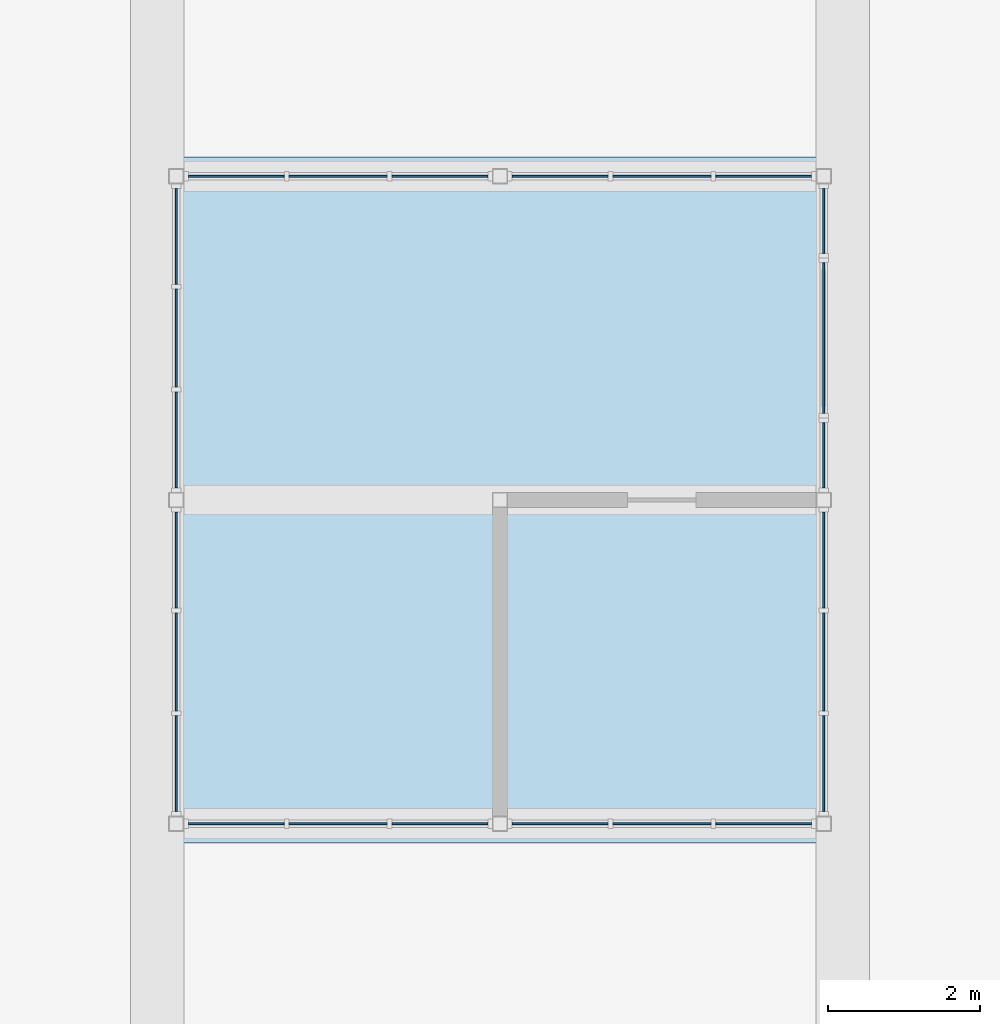
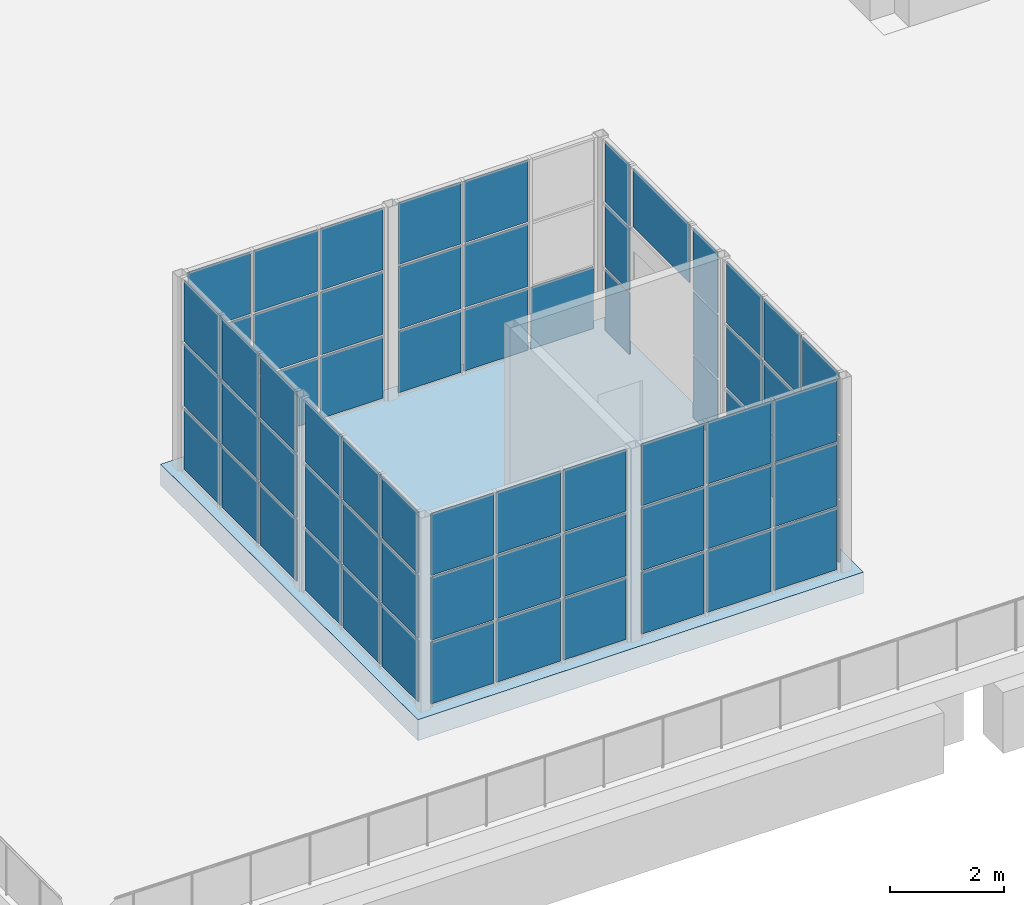
# One storey, part 74 of 168: 68 plates, 1 slab, 10 elements without a shape of their own.
"""IFC4 building model written with IfcOpenShell, lengths in metres."""

from ifc_helpers import new_model, si_unit, direction, frame, origin, origin_2d, place, context, subcontext, project, spatial, polyline, rectangle, outline, extrude, material, layer, layer_set, type_object, element, aggregate, save


model = new_model("IFC4")

# Units and contexts
model_context = context("Model", 3, precision=1e-05, world=origin(), true_north=direction((0.0, 1.0)))
body_context = subcontext(model_context, "Body", "Model", "MODEL_VIEW")
ifc_project = project(units=[si_unit("LENGTHUNIT", "METRE"), si_unit("AREAUNIT", "SQUARE_METRE"), si_unit("VOLUMEUNIT", "CUBIC_METRE"), si_unit("PLANEANGLEUNIT", "RADIAN"), si_unit("MASSUNIT", "GRAM", prefix="KILO")], contexts=[model_context])

# Site, building, storey
site_placement = place(None, origin())
site = spatial("IfcSite", under=ifc_project, at=site_placement, CompositionType="ELEMENT")
building_placement = place(site_placement, origin())
building = spatial("IfcBuilding", under=site, at=building_placement, Name="Silverbay Arena", CompositionType="ELEMENT")
storey_placement = place(building_placement, frame((0.0, 0.0, 7.0)))
storey = spatial("IfcBuildingStorey", under=building, at=storey_placement, Name="L01", CompositionType="ELEMENT", Elevation=7.0)

# Curtain wall, plates
ifc_material_1 = material(Name="Aluminium framed curtain wall", Category="aluminium")
curtain_wall_type_1 = type_object("IfcCurtainWallType", Name="Curtain wall 4050 x 4150", PredefinedType="NOTDEFINED", material=ifc_material_1)
curtain_wall_1_placement = place(storey_placement, origin())
curtain_wall_1 = element("IfcCurtainWall", 1, at=curtain_wall_1_placement, inside=storey, type_object=curtain_wall_type_1, Name="Pavilion south curtain wall 1", PredefinedType="NOTDEFINED")
ifc_material_2 = material(Name="Laminated glass", Category="glass")
ifc_layer_1 = layer(ifc_material_2, 0.02392578125)
ifc_layer_set_1 = layer_set([ifc_layer_1], Name="Laminated glass")
plate_type = type_object("IfcPlateType", Name="Glass panel 24", PredefinedType="CURTAIN_PANEL", material=ifc_layer_set_1)
plate_1_placement = place(storey_placement, frame((10.0400390625, 3.75, 0.0498046875), z_axis=(0.0, 0.0, 1.0), x_axis=(1.0, 0.0, 0.0)))
plate_1 = element("IfcPlate", 2, at=plate_1_placement, type_object=plate_type, Name="CW21 panel 1.1", PredefinedType="CURTAIN_PANEL", context=body_context, shape_type="SweptSolid", body=[
    extrude(rectangle(XDim=1.260009765625, YDim=0.02392578125, at=origin_2d()), origin(), (0.0, 0.0, 1.0), 1.308349609375),
])
plate_2_placement = place(storey_placement, frame((10.0400390625, 3.75, 1.408203125), z_axis=(0.0, 0.0, 1.0), x_axis=(1.0, 0.0, 0.0)))
plate_2 = element("IfcPlate", 3, at=plate_2_placement, type_object=plate_type, Name="CW21 panel 1.2", PredefinedType="CURTAIN_PANEL", context=body_context, shape_type="SweptSolid", body=[
    extrude(rectangle(XDim=1.260009765625, YDim=0.02392578125, at=origin_2d()), origin(), (0.0, 0.0, 1.0), 1.333251953125),
])
plate_3_placement = place(storey_placement, frame((10.0400390625, 3.75, 2.79150390625), z_axis=(0.0, 0.0, 1.0), x_axis=(1.0, 0.0, 0.0)))
plate_3 = element("IfcPlate", 4, at=plate_3_placement, type_object=plate_type, Name="CW21 panel 1.3", PredefinedType="CURTAIN_PANEL", context=body_context, shape_type="SweptSolid", body=[
    extrude(rectangle(XDim=1.260009765625, YDim=0.02392578125, at=origin_2d()), origin(), (0.0, 0.0, 1.0), 1.308349609375),
])
plate_4_placement = place(storey_placement, frame((11.375, 3.75, 0.0498046875), z_axis=(0.0, 0.0, 1.0), x_axis=(1.0, 0.0, 0.0)))
plate_4 = element("IfcPlate", 5, at=plate_4_placement, type_object=plate_type, Name="CW21 panel 2.1", PredefinedType="CURTAIN_PANEL", context=body_context, shape_type="SweptSolid", body=[
    extrude(rectangle(XDim=1.2900390625, YDim=0.02392578125, at=origin_2d()), origin(), (0.0, 0.0, 1.0), 1.308349609375),
])
plate_5_placement = place(storey_placement, frame((11.375, 3.75, 1.408203125), z_axis=(0.0, 0.0, 1.0), x_axis=(1.0, 0.0, 0.0)))
plate_5 = element("IfcPlate", 6, at=plate_5_placement, type_object=plate_type, Name="CW21 panel 2.2", PredefinedType="CURTAIN_PANEL", context=body_context, shape_type="SweptSolid", body=[
    extrude(rectangle(XDim=1.2900390625, YDim=0.02392578125, at=origin_2d()), origin(), (0.0, 0.0, 1.0), 1.333251953125),
])
plate_6_placement = place(storey_placement, frame((11.375, 3.75, 2.79150390625), z_axis=(0.0, 0.0, 1.0), x_axis=(1.0, 0.0, 0.0)))
plate_6 = element("IfcPlate", 7, at=plate_6_placement, type_object=plate_type, Name="CW21 panel 2.3", PredefinedType="CURTAIN_PANEL", context=body_context, shape_type="SweptSolid", body=[
    extrude(rectangle(XDim=1.2900390625, YDim=0.02392578125, at=origin_2d()), origin(), (0.0, 0.0, 1.0), 1.308349609375),
])
plate_7_placement = place(storey_placement, frame((12.7099609375, 3.75, 0.0498046875), z_axis=(0.0, 0.0, 1.0), x_axis=(1.0, 0.0, 0.0)))
plate_7 = element("IfcPlate", 8, at=plate_7_placement, type_object=plate_type, Name="CW21 panel 3.1", PredefinedType="CURTAIN_PANEL", context=body_context, shape_type="SweptSolid", body=[
    extrude(rectangle(XDim=1.260009765625, YDim=0.02392578125, at=origin_2d()), origin(), (0.0, 0.0, 1.0), 1.308349609375),
])
plate_8_placement = place(storey_placement, frame((12.7099609375, 3.75, 1.408203125), z_axis=(0.0, 0.0, 1.0), x_axis=(1.0, 0.0, 0.0)))
plate_8 = element("IfcPlate", 9, at=plate_8_placement, type_object=plate_type, Name="CW21 panel 3.2", PredefinedType="CURTAIN_PANEL", context=body_context, shape_type="SweptSolid", body=[
    extrude(rectangle(XDim=1.260009765625, YDim=0.02392578125, at=origin_2d()), origin(), (0.0, 0.0, 1.0), 1.333251953125),
])
plate_9_placement = place(storey_placement, frame((12.7099609375, 3.75, 2.79150390625), z_axis=(0.0, 0.0, 1.0), x_axis=(1.0, 0.0, 0.0)))
plate_9 = element("IfcPlate", 10, at=plate_9_placement, type_object=plate_type, Name="CW21 panel 3.3", PredefinedType="CURTAIN_PANEL", context=body_context, shape_type="SweptSolid", body=[
    extrude(rectangle(XDim=1.260009765625, YDim=0.02392578125, at=origin_2d()), origin(), (0.0, 0.0, 1.0), 1.308349609375),
])
aggregate(curtain_wall_1, [plate_1, plate_2, plate_3, plate_4, plate_5, plate_6, plate_7, plate_8, plate_9])

curtain_wall_2_placement = place(storey_placement, origin())
curtain_wall_2 = element("IfcCurtainWall", 11, at=curtain_wall_2_placement, inside=storey, type_object=curtain_wall_type_1, Name="Pavilion south curtain wall 2", PredefinedType="NOTDEFINED")
plate_10_placement = place(storey_placement, frame((14.2900390625, 3.75, 0.0498046875), z_axis=(0.0, 0.0, 1.0), x_axis=(1.0, 0.0, 0.0)))
plate_10 = element("IfcPlate", 12, at=plate_10_placement, type_object=plate_type, Name="CW21 panel 1.1", PredefinedType="CURTAIN_PANEL", context=body_context, shape_type="SweptSolid", body=[
    extrude(rectangle(XDim=1.260009765625, YDim=0.02392578125, at=origin_2d()), origin(), (0.0, 0.0, 1.0), 1.308349609375),
])
plate_11_placement = place(storey_placement, frame((14.2900390625, 3.75, 1.408203125), z_axis=(0.0, 0.0, 1.0), x_axis=(1.0, 0.0, 0.0)))
plate_11 = element("IfcPlate", 13, at=plate_11_placement, type_object=plate_type, Name="CW21 panel 1.2", PredefinedType="CURTAIN_PANEL", context=body_context, shape_type="SweptSolid", body=[
    extrude(rectangle(XDim=1.260009765625, YDim=0.02392578125, at=origin_2d()), origin(), (0.0, 0.0, 1.0), 1.333251953125),
])
plate_12_placement = place(storey_placement, frame((14.2900390625, 3.75, 2.79150390625), z_axis=(0.0, 0.0, 1.0), x_axis=(1.0, 0.0, 0.0)))
plate_12 = element("IfcPlate", 14, at=plate_12_placement, type_object=plate_type, Name="CW21 panel 1.3", PredefinedType="CURTAIN_PANEL", context=body_context, shape_type="SweptSolid", body=[
    extrude(rectangle(XDim=1.260009765625, YDim=0.02392578125, at=origin_2d()), origin(), (0.0, 0.0, 1.0), 1.308349609375),
])
plate_13_placement = place(storey_placement, frame((15.625, 3.75, 0.0498046875), z_axis=(0.0, 0.0, 1.0), x_axis=(1.0, 0.0, 0.0)))
plate_13 = element("IfcPlate", 15, at=plate_13_placement, type_object=plate_type, Name="CW21 panel 2.1", PredefinedType="CURTAIN_PANEL", context=body_context, shape_type="SweptSolid", body=[
    extrude(rectangle(XDim=1.2900390625, YDim=0.02392578125, at=origin_2d()), origin(), (0.0, 0.0, 1.0), 1.308349609375),
])
plate_14_placement = place(storey_placement, frame((15.625, 3.75, 1.408203125), z_axis=(0.0, 0.0, 1.0), x_axis=(1.0, 0.0, 0.0)))
plate_14 = element("IfcPlate", 16, at=plate_14_placement, type_object=plate_type, Name="CW21 panel 2.2", PredefinedType="CURTAIN_PANEL", context=body_context, shape_type="SweptSolid", body=[
    extrude(rectangle(XDim=1.2900390625, YDim=0.02392578125, at=origin_2d()), origin(), (0.0, 0.0, 1.0), 1.333251953125),
])
plate_15_placement = place(storey_placement, frame((15.625, 3.75, 2.79150390625), z_axis=(0.0, 0.0, 1.0), x_axis=(1.0, 0.0, 0.0)))
plate_15 = element("IfcPlate", 17, at=plate_15_placement, type_object=plate_type, Name="CW21 panel 2.3", PredefinedType="CURTAIN_PANEL", context=body_context, shape_type="SweptSolid", body=[
    extrude(rectangle(XDim=1.2900390625, YDim=0.02392578125, at=origin_2d()), origin(), (0.0, 0.0, 1.0), 1.308349609375),
])
plate_16_placement = place(storey_placement, frame((16.9599609375, 3.75, 0.0498046875), z_axis=(0.0, 0.0, 1.0), x_axis=(1.0, 0.0, 0.0)))
plate_16 = element("IfcPlate", 18, at=plate_16_placement, type_object=plate_type, Name="CW21 panel 3.1", PredefinedType="CURTAIN_PANEL", context=body_context, shape_type="SweptSolid", body=[
    extrude(rectangle(XDim=1.260009765625, YDim=0.02392578125, at=origin_2d()), origin(), (0.0, 0.0, 1.0), 1.308349609375),
])
plate_17_placement = place(storey_placement, frame((16.9599609375, 3.75, 1.408203125), z_axis=(0.0, 0.0, 1.0), x_axis=(1.0, 0.0, 0.0)))
plate_17 = element("IfcPlate", 19, at=plate_17_placement, type_object=plate_type, Name="CW21 panel 3.2", PredefinedType="CURTAIN_PANEL", context=body_context, shape_type="SweptSolid", body=[
    extrude(rectangle(XDim=1.260009765625, YDim=0.02392578125, at=origin_2d()), origin(), (0.0, 0.0, 1.0), 1.333251953125),
])
plate_18_placement = place(storey_placement, frame((16.9599609375, 3.75, 2.79150390625), z_axis=(0.0, 0.0, 1.0), x_axis=(1.0, 0.0, 0.0)))
plate_18 = element("IfcPlate", 20, at=plate_18_placement, type_object=plate_type, Name="CW21 panel 3.3", PredefinedType="CURTAIN_PANEL", context=body_context, shape_type="SweptSolid", body=[
    extrude(rectangle(XDim=1.260009765625, YDim=0.02392578125, at=origin_2d()), origin(), (0.0, 0.0, 1.0), 1.308349609375),
])
aggregate(curtain_wall_2, [plate_10, plate_11, plate_12, plate_13, plate_14, plate_15, plate_16, plate_17, plate_18])

curtain_wall_3_placement = place(storey_placement, origin())
curtain_wall_3 = element("IfcCurtainWall", 21, at=curtain_wall_3_placement, inside=storey, type_object=curtain_wall_type_1, Name="Pavilion north curtain wall 1", PredefinedType="NOTDEFINED")
plate_19_placement = place(storey_placement, frame((10.0400390625, 12.25, 0.0498046875), z_axis=(0.0, 0.0, 1.0), x_axis=(1.0, 0.0, 0.0)))
plate_19 = element("IfcPlate", 22, at=plate_19_placement, type_object=plate_type, Name="CW21 panel 1.1", PredefinedType="CURTAIN_PANEL", context=body_context, shape_type="SweptSolid", body=[
    extrude(rectangle(XDim=1.260009765625, YDim=0.02392578125, at=origin_2d()), origin(), (0.0, 0.0, 1.0), 1.308349609375),
])
plate_20_placement = place(storey_placement, frame((10.0400390625, 12.25, 1.408203125), z_axis=(0.0, 0.0, 1.0), x_axis=(1.0, 0.0, 0.0)))
plate_20 = element("IfcPlate", 23, at=plate_20_placement, type_object=plate_type, Name="CW21 panel 1.2", PredefinedType="CURTAIN_PANEL", context=body_context, shape_type="SweptSolid", body=[
    extrude(rectangle(XDim=1.260009765625, YDim=0.02392578125, at=origin_2d()), origin(), (0.0, 0.0, 1.0), 1.333251953125),
])
plate_21_placement = place(storey_placement, frame((10.0400390625, 12.25, 2.79150390625), z_axis=(0.0, 0.0, 1.0), x_axis=(1.0, 0.0, 0.0)))
plate_21 = element("IfcPlate", 24, at=plate_21_placement, type_object=plate_type, Name="CW21 panel 1.3", PredefinedType="CURTAIN_PANEL", context=body_context, shape_type="SweptSolid", body=[
    extrude(rectangle(XDim=1.260009765625, YDim=0.02392578125, at=origin_2d()), origin(), (0.0, 0.0, 1.0), 1.308349609375),
])
plate_22_placement = place(storey_placement, frame((11.375, 12.25, 0.0498046875), z_axis=(0.0, 0.0, 1.0), x_axis=(1.0, 0.0, 0.0)))
plate_22 = element("IfcPlate", 25, at=plate_22_placement, type_object=plate_type, Name="CW21 panel 2.1", PredefinedType="CURTAIN_PANEL", context=body_context, shape_type="SweptSolid", body=[
    extrude(rectangle(XDim=1.2900390625, YDim=0.02392578125, at=origin_2d()), origin(), (0.0, 0.0, 1.0), 1.308349609375),
])
plate_23_placement = place(storey_placement, frame((11.375, 12.25, 1.408203125), z_axis=(0.0, 0.0, 1.0), x_axis=(1.0, 0.0, 0.0)))
plate_23 = element("IfcPlate", 26, at=plate_23_placement, type_object=plate_type, Name="CW21 panel 2.2", PredefinedType="CURTAIN_PANEL", context=body_context, shape_type="SweptSolid", body=[
    extrude(rectangle(XDim=1.2900390625, YDim=0.02392578125, at=origin_2d()), origin(), (0.0, 0.0, 1.0), 1.333251953125),
])
plate_24_placement = place(storey_placement, frame((11.375, 12.25, 2.79150390625), z_axis=(0.0, 0.0, 1.0), x_axis=(1.0, 0.0, 0.0)))
plate_24 = element("IfcPlate", 27, at=plate_24_placement, type_object=plate_type, Name="CW21 panel 2.3", PredefinedType="CURTAIN_PANEL", context=body_context, shape_type="SweptSolid", body=[
    extrude(rectangle(XDim=1.2900390625, YDim=0.02392578125, at=origin_2d()), origin(), (0.0, 0.0, 1.0), 1.308349609375),
])
plate_25_placement = place(storey_placement, frame((12.7099609375, 12.25, 0.0498046875), z_axis=(0.0, 0.0, 1.0), x_axis=(1.0, 0.0, 0.0)))
plate_25 = element("IfcPlate", 28, at=plate_25_placement, type_object=plate_type, Name="CW21 panel 3.1", PredefinedType="CURTAIN_PANEL", context=body_context, shape_type="SweptSolid", body=[
    extrude(rectangle(XDim=1.260009765625, YDim=0.02392578125, at=origin_2d()), origin(), (0.0, 0.0, 1.0), 1.308349609375),
])
plate_26_placement = place(storey_placement, frame((12.7099609375, 12.25, 1.408203125), z_axis=(0.0, 0.0, 1.0), x_axis=(1.0, 0.0, 0.0)))
plate_26 = element("IfcPlate", 29, at=plate_26_placement, type_object=plate_type, Name="CW21 panel 3.2", PredefinedType="CURTAIN_PANEL", context=body_context, shape_type="SweptSolid", body=[
    extrude(rectangle(XDim=1.260009765625, YDim=0.02392578125, at=origin_2d()), origin(), (0.0, 0.0, 1.0), 1.333251953125),
])
plate_27_placement = place(storey_placement, frame((12.7099609375, 12.25, 2.79150390625), z_axis=(0.0, 0.0, 1.0), x_axis=(1.0, 0.0, 0.0)))
plate_27 = element("IfcPlate", 30, at=plate_27_placement, type_object=plate_type, Name="CW21 panel 3.3", PredefinedType="CURTAIN_PANEL", context=body_context, shape_type="SweptSolid", body=[
    extrude(rectangle(XDim=1.260009765625, YDim=0.02392578125, at=origin_2d()), origin(), (0.0, 0.0, 1.0), 1.308349609375),
])
aggregate(curtain_wall_3, [plate_19, plate_20, plate_21, plate_22, plate_23, plate_24, plate_25, plate_26, plate_27])

curtain_wall_4_placement = place(storey_placement, origin())
curtain_wall_4 = element("IfcCurtainWall", 31, at=curtain_wall_4_placement, inside=storey, type_object=curtain_wall_type_1, Name="Pavilion north curtain wall 2", PredefinedType="NOTDEFINED")
plate_28_placement = place(storey_placement, frame((14.2900390625, 12.25, 0.0498046875), z_axis=(0.0, 0.0, 1.0), x_axis=(1.0, 0.0, 0.0)))
plate_28 = element("IfcPlate", 32, at=plate_28_placement, type_object=plate_type, Name="CW21 panel 1.1", PredefinedType="CURTAIN_PANEL", context=body_context, shape_type="SweptSolid", body=[
    extrude(rectangle(XDim=1.260009765625, YDim=0.02392578125, at=origin_2d()), origin(), (0.0, 0.0, 1.0), 1.308349609375),
])
plate_29_placement = place(storey_placement, frame((14.2900390625, 12.25, 1.408203125), z_axis=(0.0, 0.0, 1.0), x_axis=(1.0, 0.0, 0.0)))
plate_29 = element("IfcPlate", 33, at=plate_29_placement, type_object=plate_type, Name="CW21 panel 1.2", PredefinedType="CURTAIN_PANEL", context=body_context, shape_type="SweptSolid", body=[
    extrude(rectangle(XDim=1.260009765625, YDim=0.02392578125, at=origin_2d()), origin(), (0.0, 0.0, 1.0), 1.333251953125),
])
plate_30_placement = place(storey_placement, frame((14.2900390625, 12.25, 2.79150390625), z_axis=(0.0, 0.0, 1.0), x_axis=(1.0, 0.0, 0.0)))
plate_30 = element("IfcPlate", 34, at=plate_30_placement, type_object=plate_type, Name="CW21 panel 1.3", PredefinedType="CURTAIN_PANEL", context=body_context, shape_type="SweptSolid", body=[
    extrude(rectangle(XDim=1.260009765625, YDim=0.02392578125, at=origin_2d()), origin(), (0.0, 0.0, 1.0), 1.308349609375),
])
plate_31_placement = place(storey_placement, frame((15.625, 12.25, 0.0498046875), z_axis=(0.0, 0.0, 1.0), x_axis=(1.0, 0.0, 0.0)))
plate_31 = element("IfcPlate", 35, at=plate_31_placement, type_object=plate_type, Name="CW21 panel 2.1", PredefinedType="CURTAIN_PANEL", context=body_context, shape_type="SweptSolid", body=[
    extrude(rectangle(XDim=1.2900390625, YDim=0.02392578125, at=origin_2d()), origin(), (0.0, 0.0, 1.0), 1.308349609375),
])
plate_32_placement = place(storey_placement, frame((15.625, 12.25, 1.408203125), z_axis=(0.0, 0.0, 1.0), x_axis=(1.0, 0.0, 0.0)))
plate_32 = element("IfcPlate", 36, at=plate_32_placement, type_object=plate_type, Name="CW21 panel 2.2", PredefinedType="CURTAIN_PANEL", context=body_context, shape_type="SweptSolid", body=[
    extrude(rectangle(XDim=1.2900390625, YDim=0.02392578125, at=origin_2d()), origin(), (0.0, 0.0, 1.0), 1.333251953125),
])
plate_33_placement = place(storey_placement, frame((15.625, 12.25, 2.79150390625), z_axis=(0.0, 0.0, 1.0), x_axis=(1.0, 0.0, 0.0)))
plate_33 = element("IfcPlate", 37, at=plate_33_placement, type_object=plate_type, Name="CW21 panel 2.3", PredefinedType="CURTAIN_PANEL", context=body_context, shape_type="SweptSolid", body=[
    extrude(rectangle(XDim=1.2900390625, YDim=0.02392578125, at=origin_2d()), origin(), (0.0, 0.0, 1.0), 1.308349609375),
])
plate_34_placement = place(storey_placement, frame((16.9599609375, 12.25, 0.0498046875), z_axis=(0.0, 0.0, 1.0), x_axis=(1.0, 0.0, 0.0)))
plate_34 = element("IfcPlate", 38, at=plate_34_placement, type_object=plate_type, Name="CW21 panel 3.1", PredefinedType="CURTAIN_PANEL", context=body_context, shape_type="SweptSolid", body=[
    extrude(rectangle(XDim=1.260009765625, YDim=0.02392578125, at=origin_2d()), origin(), (0.0, 0.0, 1.0), 1.308349609375),
])
aggregate(curtain_wall_4, [plate_28, plate_29, plate_30, plate_31, plate_32, plate_33, plate_34])

curtain_wall_5_placement = place(storey_placement, origin())
curtain_wall_5 = element("IfcCurtainWall", 39, at=curtain_wall_5_placement, inside=storey, type_object=curtain_wall_type_1, Name="Pavilion west curtain wall 1", PredefinedType="NOTDEFINED")
plate_35_placement = place(storey_placement, frame((9.25, 4.5400390625, 0.0498046875), z_axis=(0.0, 0.0, 1.0), x_axis=(0.0, 1.0, 0.0)))
plate_35 = element("IfcPlate", 40, at=plate_35_placement, type_object=plate_type, Name="CW21 panel 1.1", PredefinedType="CURTAIN_PANEL", context=body_context, shape_type="SweptSolid", body=[
    extrude(rectangle(XDim=1.260009765625, YDim=0.02392578125, at=origin_2d()), origin(), (0.0, 0.0, 1.0), 1.308349609375),
])
plate_36_placement = place(storey_placement, frame((9.25, 4.5400390625, 1.408203125), z_axis=(0.0, 0.0, 1.0), x_axis=(0.0, 1.0, 0.0)))
plate_36 = element("IfcPlate", 41, at=plate_36_placement, type_object=plate_type, Name="CW21 panel 1.2", PredefinedType="CURTAIN_PANEL", context=body_context, shape_type="SweptSolid", body=[
    extrude(rectangle(XDim=1.260009765625, YDim=0.02392578125, at=origin_2d()), origin(), (0.0, 0.0, 1.0), 1.333251953125),
])
plate_37_placement = place(storey_placement, frame((9.25, 4.5400390625, 2.79150390625), z_axis=(0.0, 0.0, 1.0), x_axis=(0.0, 1.0, 0.0)))
plate_37 = element("IfcPlate", 42, at=plate_37_placement, type_object=plate_type, Name="CW21 panel 1.3", PredefinedType="CURTAIN_PANEL", context=body_context, shape_type="SweptSolid", body=[
    extrude(rectangle(XDim=1.260009765625, YDim=0.02392578125, at=origin_2d()), origin(), (0.0, 0.0, 1.0), 1.308349609375),
])
plate_38_placement = place(storey_placement, frame((9.25, 5.875, 0.0498046875), z_axis=(0.0, 0.0, 1.0), x_axis=(0.0, 1.0, 0.0)))
plate_38 = element("IfcPlate", 43, at=plate_38_placement, type_object=plate_type, Name="CW21 panel 2.1", PredefinedType="CURTAIN_PANEL", context=body_context, shape_type="SweptSolid", body=[
    extrude(rectangle(XDim=1.2900390625, YDim=0.02392578125, at=origin_2d()), origin(), (0.0, 0.0, 1.0), 1.308349609375),
])
plate_39_placement = place(storey_placement, frame((9.25, 5.875, 1.408203125), z_axis=(0.0, 0.0, 1.0), x_axis=(0.0, 1.0, 0.0)))
plate_39 = element("IfcPlate", 44, at=plate_39_placement, type_object=plate_type, Name="CW21 panel 2.2", PredefinedType="CURTAIN_PANEL", context=body_context, shape_type="SweptSolid", body=[
    extrude(rectangle(XDim=1.2900390625, YDim=0.02392578125, at=origin_2d()), origin(), (0.0, 0.0, 1.0), 1.333251953125),
])
plate_40_placement = place(storey_placement, frame((9.25, 5.875, 2.79150390625), z_axis=(0.0, 0.0, 1.0), x_axis=(0.0, 1.0, 0.0)))
plate_40 = element("IfcPlate", 45, at=plate_40_placement, type_object=plate_type, Name="CW21 panel 2.3", PredefinedType="CURTAIN_PANEL", context=body_context, shape_type="SweptSolid", body=[
    extrude(rectangle(XDim=1.2900390625, YDim=0.02392578125, at=origin_2d()), origin(), (0.0, 0.0, 1.0), 1.308349609375),
])
plate_41_placement = place(storey_placement, frame((9.25, 7.2099609375, 0.0498046875), z_axis=(0.0, 0.0, 1.0), x_axis=(0.0, 1.0, 0.0)))
plate_41 = element("IfcPlate", 46, at=plate_41_placement, type_object=plate_type, Name="CW21 panel 3.1", PredefinedType="CURTAIN_PANEL", context=body_context, shape_type="SweptSolid", body=[
    extrude(rectangle(XDim=1.260009765625, YDim=0.02392578125, at=origin_2d()), origin(), (0.0, 0.0, 1.0), 1.308349609375),
])
plate_42_placement = place(storey_placement, frame((9.25, 7.2099609375, 1.408203125), z_axis=(0.0, 0.0, 1.0), x_axis=(0.0, 1.0, 0.0)))
plate_42 = element("IfcPlate", 47, at=plate_42_placement, type_object=plate_type, Name="CW21 panel 3.2", PredefinedType="CURTAIN_PANEL", context=body_context, shape_type="SweptSolid", body=[
    extrude(rectangle(XDim=1.260009765625, YDim=0.02392578125, at=origin_2d()), origin(), (0.0, 0.0, 1.0), 1.333251953125),
])
plate_43_placement = place(storey_placement, frame((9.25, 7.2099609375, 2.79150390625), z_axis=(0.0, 0.0, 1.0), x_axis=(0.0, 1.0, 0.0)))
plate_43 = element("IfcPlate", 48, at=plate_43_placement, type_object=plate_type, Name="CW21 panel 3.3", PredefinedType="CURTAIN_PANEL", context=body_context, shape_type="SweptSolid", body=[
    extrude(rectangle(XDim=1.260009765625, YDim=0.02392578125, at=origin_2d()), origin(), (0.0, 0.0, 1.0), 1.308349609375),
])
aggregate(curtain_wall_5, [plate_35, plate_36, plate_37, plate_38, plate_39, plate_40, plate_41, plate_42, plate_43])

curtain_wall_6_placement = place(storey_placement, origin())
curtain_wall_6 = element("IfcCurtainWall", 49, at=curtain_wall_6_placement, inside=storey, type_object=curtain_wall_type_1, Name="Pavilion west curtain wall 2", PredefinedType="NOTDEFINED")
plate_44_placement = place(storey_placement, frame((9.25, 8.7900390625, 0.0498046875), z_axis=(0.0, 0.0, 1.0), x_axis=(0.0, 1.0, 0.0)))
plate_44 = element("IfcPlate", 50, at=plate_44_placement, type_object=plate_type, Name="CW21 panel 1.1", PredefinedType="CURTAIN_PANEL", context=body_context, shape_type="SweptSolid", body=[
    extrude(rectangle(XDim=1.260009765625, YDim=0.02392578125, at=origin_2d()), origin(), (0.0, 0.0, 1.0), 1.308349609375),
])
plate_45_placement = place(storey_placement, frame((9.25, 8.7900390625, 1.408203125), z_axis=(0.0, 0.0, 1.0), x_axis=(0.0, 1.0, 0.0)))
plate_45 = element("IfcPlate", 51, at=plate_45_placement, type_object=plate_type, Name="CW21 panel 1.2", PredefinedType="CURTAIN_PANEL", context=body_context, shape_type="SweptSolid", body=[
    extrude(rectangle(XDim=1.260009765625, YDim=0.02392578125, at=origin_2d()), origin(), (0.0, 0.0, 1.0), 1.333251953125),
])
plate_46_placement = place(storey_placement, frame((9.25, 8.7900390625, 2.79150390625), z_axis=(0.0, 0.0, 1.0), x_axis=(0.0, 1.0, 0.0)))
plate_46 = element("IfcPlate", 52, at=plate_46_placement, type_object=plate_type, Name="CW21 panel 1.3", PredefinedType="CURTAIN_PANEL", context=body_context, shape_type="SweptSolid", body=[
    extrude(rectangle(XDim=1.260009765625, YDim=0.02392578125, at=origin_2d()), origin(), (0.0, 0.0, 1.0), 1.308349609375),
])
plate_47_placement = place(storey_placement, frame((9.25, 10.125, 0.0498046875), z_axis=(0.0, 0.0, 1.0), x_axis=(0.0, 1.0, 0.0)))
plate_47 = element("IfcPlate", 53, at=plate_47_placement, type_object=plate_type, Name="CW21 panel 2.1", PredefinedType="CURTAIN_PANEL", context=body_context, shape_type="SweptSolid", body=[
    extrude(rectangle(XDim=1.2900390625, YDim=0.02392578125, at=origin_2d()), origin(), (0.0, 0.0, 1.0), 1.308349609375),
])
plate_48_placement = place(storey_placement, frame((9.25, 10.125, 1.408203125), z_axis=(0.0, 0.0, 1.0), x_axis=(0.0, 1.0, 0.0)))
plate_48 = element("IfcPlate", 54, at=plate_48_placement, type_object=plate_type, Name="CW21 panel 2.2", PredefinedType="CURTAIN_PANEL", context=body_context, shape_type="SweptSolid", body=[
    extrude(rectangle(XDim=1.2900390625, YDim=0.02392578125, at=origin_2d()), origin(), (0.0, 0.0, 1.0), 1.333251953125),
])
plate_49_placement = place(storey_placement, frame((9.25, 10.125, 2.79150390625), z_axis=(0.0, 0.0, 1.0), x_axis=(0.0, 1.0, 0.0)))
plate_49 = element("IfcPlate", 55, at=plate_49_placement, type_object=plate_type, Name="CW21 panel 2.3", PredefinedType="CURTAIN_PANEL", context=body_context, shape_type="SweptSolid", body=[
    extrude(rectangle(XDim=1.2900390625, YDim=0.02392578125, at=origin_2d()), origin(), (0.0, 0.0, 1.0), 1.308349609375),
])
plate_50_placement = place(storey_placement, frame((9.25, 11.4599609375, 0.0498046875), z_axis=(0.0, 0.0, 1.0), x_axis=(0.0, 1.0, 0.0)))
plate_50 = element("IfcPlate", 56, at=plate_50_placement, type_object=plate_type, Name="CW21 panel 3.1", PredefinedType="CURTAIN_PANEL", context=body_context, shape_type="SweptSolid", body=[
    extrude(rectangle(XDim=1.260009765625, YDim=0.02392578125, at=origin_2d()), origin(), (0.0, 0.0, 1.0), 1.308349609375),
])
plate_51_placement = place(storey_placement, frame((9.25, 11.4599609375, 1.408203125), z_axis=(0.0, 0.0, 1.0), x_axis=(0.0, 1.0, 0.0)))
plate_51 = element("IfcPlate", 57, at=plate_51_placement, type_object=plate_type, Name="CW21 panel 3.2", PredefinedType="CURTAIN_PANEL", context=body_context, shape_type="SweptSolid", body=[
    extrude(rectangle(XDim=1.260009765625, YDim=0.02392578125, at=origin_2d()), origin(), (0.0, 0.0, 1.0), 1.333251953125),
])
plate_52_placement = place(storey_placement, frame((9.25, 11.4599609375, 2.79150390625), z_axis=(0.0, 0.0, 1.0), x_axis=(0.0, 1.0, 0.0)))
plate_52 = element("IfcPlate", 58, at=plate_52_placement, type_object=plate_type, Name="CW21 panel 3.3", PredefinedType="CURTAIN_PANEL", context=body_context, shape_type="SweptSolid", body=[
    extrude(rectangle(XDim=1.260009765625, YDim=0.02392578125, at=origin_2d()), origin(), (0.0, 0.0, 1.0), 1.308349609375),
])
aggregate(curtain_wall_6, [plate_44, plate_45, plate_46, plate_47, plate_48, plate_49, plate_50, plate_51, plate_52])

curtain_wall_7_placement = place(storey_placement, origin())
curtain_wall_7 = element("IfcCurtainWall", 59, at=curtain_wall_7_placement, inside=storey, type_object=curtain_wall_type_1, Name="Pavilion east curtain wall 1", PredefinedType="NOTDEFINED")
plate_53_placement = place(storey_placement, frame((17.75, 4.5400390625, 0.0498046875), z_axis=(0.0, 0.0, 1.0), x_axis=(0.0, 1.0, 0.0)))
plate_53 = element("IfcPlate", 60, at=plate_53_placement, type_object=plate_type, Name="CW21 panel 1.1", PredefinedType="CURTAIN_PANEL", context=body_context, shape_type="SweptSolid", body=[
    extrude(rectangle(XDim=1.260009765625, YDim=0.02392578125, at=origin_2d()), origin(), (0.0, 0.0, 1.0), 1.308349609375),
])
plate_54_placement = place(storey_placement, frame((17.75, 4.5400390625, 1.408203125), z_axis=(0.0, 0.0, 1.0), x_axis=(0.0, 1.0, 0.0)))
plate_54 = element("IfcPlate", 61, at=plate_54_placement, type_object=plate_type, Name="CW21 panel 1.2", PredefinedType="CURTAIN_PANEL", context=body_context, shape_type="SweptSolid", body=[
    extrude(rectangle(XDim=1.260009765625, YDim=0.02392578125, at=origin_2d()), origin(), (0.0, 0.0, 1.0), 1.333251953125),
])
plate_55_placement = place(storey_placement, frame((17.75, 4.5400390625, 2.79150390625), z_axis=(0.0, 0.0, 1.0), x_axis=(0.0, 1.0, 0.0)))
plate_55 = element("IfcPlate", 62, at=plate_55_placement, type_object=plate_type, Name="CW21 panel 1.3", PredefinedType="CURTAIN_PANEL", context=body_context, shape_type="SweptSolid", body=[
    extrude(rectangle(XDim=1.260009765625, YDim=0.02392578125, at=origin_2d()), origin(), (0.0, 0.0, 1.0), 1.308349609375),
])
plate_56_placement = place(storey_placement, frame((17.75, 5.875, 0.0498046875), z_axis=(0.0, 0.0, 1.0), x_axis=(0.0, 1.0, 0.0)))
plate_56 = element("IfcPlate", 63, at=plate_56_placement, type_object=plate_type, Name="CW21 panel 2.1", PredefinedType="CURTAIN_PANEL", context=body_context, shape_type="SweptSolid", body=[
    extrude(rectangle(XDim=1.2900390625, YDim=0.02392578125, at=origin_2d()), origin(), (0.0, 0.0, 1.0), 1.308349609375),
])
plate_57_placement = place(storey_placement, frame((17.75, 5.875, 1.408203125), z_axis=(0.0, 0.0, 1.0), x_axis=(0.0, 1.0, 0.0)))
plate_57 = element("IfcPlate", 64, at=plate_57_placement, type_object=plate_type, Name="CW21 panel 2.2", PredefinedType="CURTAIN_PANEL", context=body_context, shape_type="SweptSolid", body=[
    extrude(rectangle(XDim=1.2900390625, YDim=0.02392578125, at=origin_2d()), origin(), (0.0, 0.0, 1.0), 1.333251953125),
])
plate_58_placement = place(storey_placement, frame((17.75, 5.875, 2.79150390625), z_axis=(0.0, 0.0, 1.0), x_axis=(0.0, 1.0, 0.0)))
plate_58 = element("IfcPlate", 65, at=plate_58_placement, type_object=plate_type, Name="CW21 panel 2.3", PredefinedType="CURTAIN_PANEL", context=body_context, shape_type="SweptSolid", body=[
    extrude(rectangle(XDim=1.2900390625, YDim=0.02392578125, at=origin_2d()), origin(), (0.0, 0.0, 1.0), 1.308349609375),
])
plate_59_placement = place(storey_placement, frame((17.75, 7.2099609375, 0.0498046875), z_axis=(0.0, 0.0, 1.0), x_axis=(0.0, 1.0, 0.0)))
plate_59 = element("IfcPlate", 66, at=plate_59_placement, type_object=plate_type, Name="CW21 panel 3.1", PredefinedType="CURTAIN_PANEL", context=body_context, shape_type="SweptSolid", body=[
    extrude(rectangle(XDim=1.260009765625, YDim=0.02392578125, at=origin_2d()), origin(), (0.0, 0.0, 1.0), 1.308349609375),
])
plate_60_placement = place(storey_placement, frame((17.75, 7.2099609375, 1.408203125), z_axis=(0.0, 0.0, 1.0), x_axis=(0.0, 1.0, 0.0)))
plate_60 = element("IfcPlate", 67, at=plate_60_placement, type_object=plate_type, Name="CW21 panel 3.2", PredefinedType="CURTAIN_PANEL", context=body_context, shape_type="SweptSolid", body=[
    extrude(rectangle(XDim=1.260009765625, YDim=0.02392578125, at=origin_2d()), origin(), (0.0, 0.0, 1.0), 1.333251953125),
])
plate_61_placement = place(storey_placement, frame((17.75, 7.2099609375, 2.79150390625), z_axis=(0.0, 0.0, 1.0), x_axis=(0.0, 1.0, 0.0)))
plate_61 = element("IfcPlate", 68, at=plate_61_placement, type_object=plate_type, Name="CW21 panel 3.3", PredefinedType="CURTAIN_PANEL", context=body_context, shape_type="SweptSolid", body=[
    extrude(rectangle(XDim=1.260009765625, YDim=0.02392578125, at=origin_2d()), origin(), (0.0, 0.0, 1.0), 1.308349609375),
])
aggregate(curtain_wall_7, [plate_53, plate_54, plate_55, plate_56, plate_57, plate_58, plate_59, plate_60, plate_61])

ifc_material_3 = material(Name="Aluminium framed curtain wall", Category="aluminium")
curtain_wall_type_2 = type_object("IfcCurtainWallType", Name="Curtain wall 975 x 4150", PredefinedType="NOTDEFINED", material=ifc_material_3)
curtain_wall_8_placement = place(storey_placement, origin())
curtain_wall_8 = element("IfcCurtainWall", 69, at=curtain_wall_8_placement, inside=storey, type_object=curtain_wall_type_2, Name="Pavilion east curtain wall 2", PredefinedType="NOTDEFINED")
plate_62_placement = place(storey_placement, frame((17.75, 8.58740234375, 0.0498046875), z_axis=(0.0, 0.0, 1.0), x_axis=(0.0, 1.0, 0.0)))
plate_62 = element("IfcPlate", 70, at=plate_62_placement, type_object=plate_type, Name="CW22 panel 1.1", PredefinedType="CURTAIN_PANEL", context=body_context, shape_type="SweptSolid", body=[
    extrude(rectangle(XDim=0.85498046875, YDim=0.02392578125, at=origin_2d()), origin(), (0.0, 0.0, 1.0), 1.308349609375),
])
plate_63_placement = place(storey_placement, frame((17.75, 8.58740234375, 1.408203125), z_axis=(0.0, 0.0, 1.0), x_axis=(0.0, 1.0, 0.0)))
plate_63 = element("IfcPlate", 71, at=plate_63_placement, type_object=plate_type, Name="CW22 panel 1.2", PredefinedType="CURTAIN_PANEL", context=body_context, shape_type="SweptSolid", body=[
    extrude(rectangle(XDim=0.85498046875, YDim=0.02392578125, at=origin_2d()), origin(), (0.0, 0.0, 1.0), 1.333251953125),
])
plate_64_placement = place(storey_placement, frame((17.75, 8.58740234375, 2.79150390625), z_axis=(0.0, 0.0, 1.0), x_axis=(0.0, 1.0, 0.0)))
plate_64 = element("IfcPlate", 72, at=plate_64_placement, type_object=plate_type, Name="CW22 panel 1.3", PredefinedType="CURTAIN_PANEL", context=body_context, shape_type="SweptSolid", body=[
    extrude(rectangle(XDim=0.85498046875, YDim=0.02392578125, at=origin_2d()), origin(), (0.0, 0.0, 1.0), 1.308349609375),
])
aggregate(curtain_wall_8, [plate_62, plate_63, plate_64])

curtain_wall_9_placement = place(storey_placement, origin())
curtain_wall_9 = element("IfcCurtainWall", 73, at=curtain_wall_9_placement, inside=storey, type_object=curtain_wall_type_2, Name="Pavilion east curtain wall 3", PredefinedType="NOTDEFINED")
plate_65_placement = place(storey_placement, frame((17.75, 11.66259765625, 0.0498046875), z_axis=(0.0, 0.0, 1.0), x_axis=(0.0, 1.0, 0.0)))
plate_65 = element("IfcPlate", 74, at=plate_65_placement, type_object=plate_type, Name="CW22 panel 1.1", PredefinedType="CURTAIN_PANEL", context=body_context, shape_type="SweptSolid", body=[
    extrude(rectangle(XDim=0.85498046875, YDim=0.02392578125, at=origin_2d()), origin(), (0.0, 0.0, 1.0), 1.308349609375),
])
plate_66_placement = place(storey_placement, frame((17.75, 11.66259765625, 1.408203125), z_axis=(0.0, 0.0, 1.0), x_axis=(0.0, 1.0, 0.0)))
plate_66 = element("IfcPlate", 75, at=plate_66_placement, type_object=plate_type, Name="CW22 panel 1.2", PredefinedType="CURTAIN_PANEL", context=body_context, shape_type="SweptSolid", body=[
    extrude(rectangle(XDim=0.85498046875, YDim=0.02392578125, at=origin_2d()), origin(), (0.0, 0.0, 1.0), 1.333251953125),
])
plate_67_placement = place(storey_placement, frame((17.75, 11.66259765625, 2.79150390625), z_axis=(0.0, 0.0, 1.0), x_axis=(0.0, 1.0, 0.0)))
plate_67 = element("IfcPlate", 76, at=plate_67_placement, type_object=plate_type, Name="CW22 panel 1.3", PredefinedType="CURTAIN_PANEL", context=body_context, shape_type="SweptSolid", body=[
    extrude(rectangle(XDim=0.85498046875, YDim=0.02392578125, at=origin_2d()), origin(), (0.0, 0.0, 1.0), 1.308349609375),
])
aggregate(curtain_wall_9, [plate_65, plate_66, plate_67])

# Curtain wall, plate
ifc_material_4 = material(Name="Aluminium framed curtain wall", Category="aluminium")
curtain_wall_type_3 = type_object("IfcCurtainWallType", Name="Curtain wall 2100 x 1350", PredefinedType="NOTDEFINED", material=ifc_material_4)
curtain_wall_10_placement = place(storey_placement, origin())
curtain_wall_10 = element("IfcCurtainWall", 77, at=curtain_wall_10_placement, inside=storey, type_object=curtain_wall_type_3, Name="Pavilion east curtain wall 4", PredefinedType="NOTDEFINED")
plate_68_placement = place(storey_placement, frame((17.75, 10.125, 2.85009765625), z_axis=(0.0, 0.0, 1.0), x_axis=(0.0, 1.0, 0.0)))
plate_68 = element("IfcPlate", 78, at=plate_68_placement, type_object=plate_type, Name="CW23 panel 1.1", PredefinedType="CURTAIN_PANEL", context=body_context, shape_type="SweptSolid", body=[
    extrude(rectangle(XDim=1.97998046875, YDim=0.02392578125, at=origin_2d()), origin(), (0.0, 0.0, 1.0), 1.25),
])
aggregate(curtain_wall_10, [plate_68])

# Slab
ifc_material_5 = material(Name="Concrete Grade C45", Category="concrete")
ifc_layer_2 = layer(ifc_material_5, 0.449951171875)
ifc_layer_set_2 = layer_set([ifc_layer_2], Name="Concrete Grade C45")
slab_type = type_object("IfcSlabType", Name="RC floor slab 450", PredefinedType="FLOOR", material=ifc_layer_set_2)
slab_placement = place(storey_placement, frame((0.0, 0.0, -0.449951171875)))
element("IfcSlab", 79, at=slab_placement, inside=storey, type_object=slab_type, Name="Pavilion floor slab", PredefinedType="FLOOR", context=body_context, shape_type="SweptSolid", body=[
    extrude(outline(polyline([(9.0, 3.5), (18.0, 3.5), (18.0, 12.5), (9.0, 12.5), (9.0, 3.5)])), origin(), (0.0, 0.0, 1.0), 0.449951171875),
])

save(model, "model.ifc")
